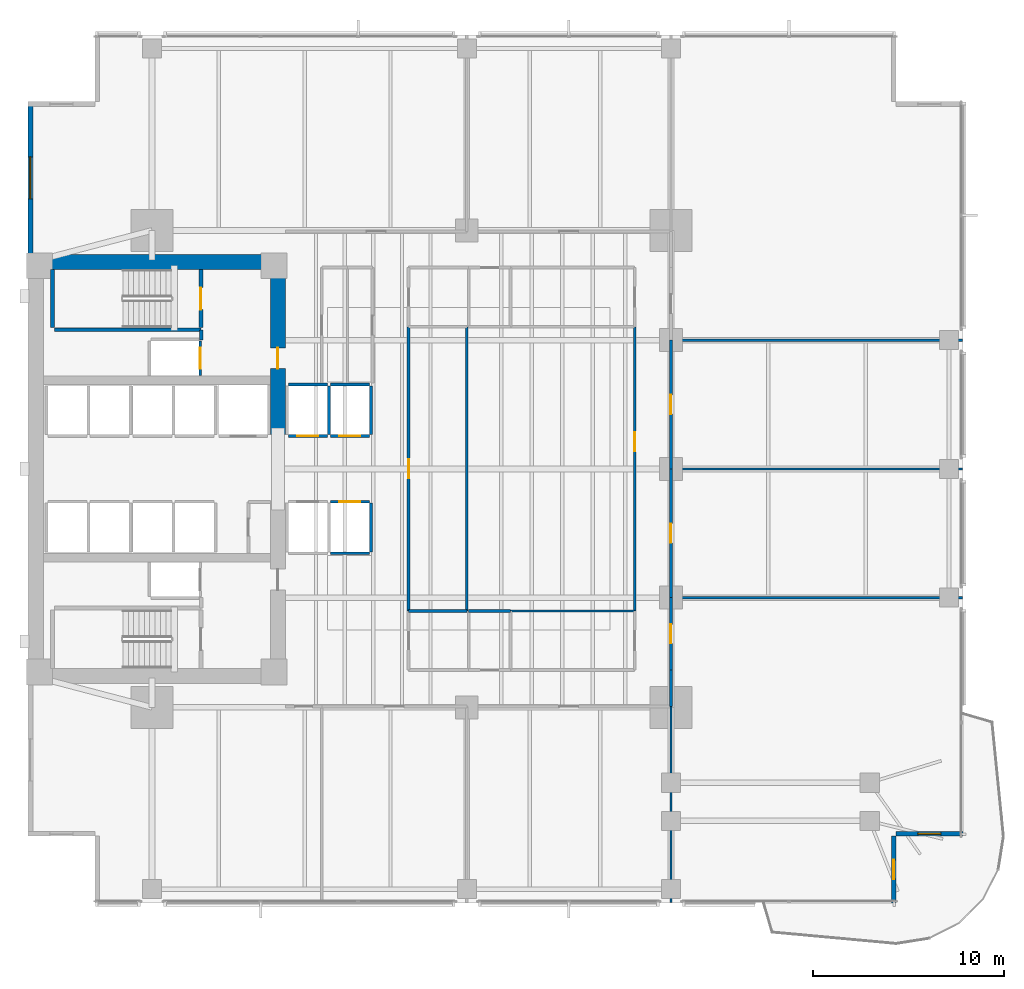
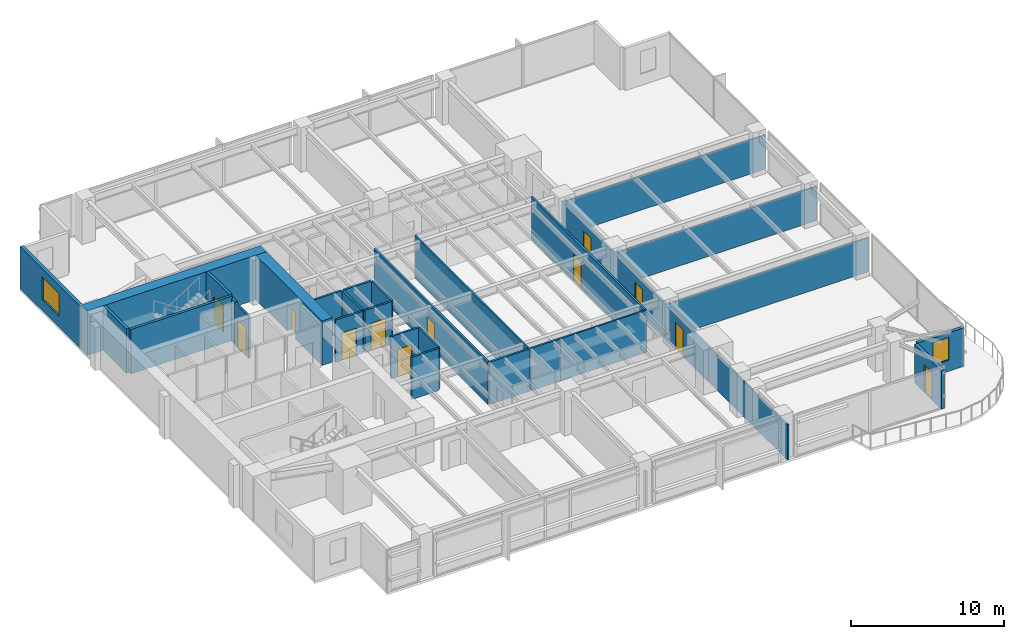
# One storey, part 9 of 15: 33 walls, 12 doors, 2 windows, 14 openings.
"""IFC4 building model written with IfcOpenShell, lengths in metres."""

from ifc_helpers import new_model, si_unit, direction, frame, frame_2d, origin, place, context, subcontext, project, spatial, rectangle, extrude, material, layer, layer_set, type_object, element, fill, save


model = new_model("IFC4")

# Units and contexts
model_context = context("Model", 3, precision=1e-05, world=origin(), true_north=direction((0.0, 1.0)))
body_context = subcontext(model_context, "Body", "Model", "MODEL_VIEW")
ifc_project = project(units=[si_unit("LENGTHUNIT", "METRE"), si_unit("AREAUNIT", "SQUARE_METRE"), si_unit("VOLUMEUNIT", "CUBIC_METRE"), si_unit("PLANEANGLEUNIT", "RADIAN"), si_unit("MASSUNIT", "GRAM", prefix="KILO")], contexts=[model_context])

# Site, building, storey
site_placement = place(None, origin())
site = spatial("IfcSite", under=ifc_project, at=site_placement, CompositionType="ELEMENT")
building_placement = place(site_placement, origin())
building = spatial("IfcBuilding", under=site, at=building_placement, Name="Kinhvarn Gate Tower", CompositionType="ELEMENT")
storey_placement = place(building_placement, frame((0.0, 0.0, 32.699951171875)))
storey = spatial("IfcBuildingStorey", under=building, at=storey_placement, Name="L07", CompositionType="ELEMENT", Elevation=32.699951171875)

# Wall
ifc_material_1 = material(Name="Concrete C70/85", Category="concrete")
ifc_layer_1 = layer(ifc_material_1, 0.800048828125)
ifc_layer_set_1 = layer_set([ifc_layer_1], Name="Concrete C70/85")
wall_type_1 = type_object("IfcWallType", Name="WL-CORE-800", PredefinedType="SHEAR", material=ifc_layer_set_1)
wall_1_placement = place(storey_placement, frame((4.5, 36.10009765625, 0.0), z_axis=(0.0, 0.0, 1.0), x_axis=(1.0, 0.0, 0.0)))
element("IfcWall", 1, at=wall_1_placement, inside=storey, type_object=wall_type_1, Name="Core North Shear Wall L07 800 mm", PredefinedType="SHEAR", context=body_context, shape_type="SweptSolid", body=[
    extrude(rectangle(XDim=13.5, YDim=0.800048828125, at=frame_2d((6.75, 0.0))), origin(), (0.0, 0.0, 1.0), 3.550048828125),
])

# Wall, opening, door
wall_2_placement = place(storey_placement, frame((17.60009765625, 27.050048828125, 0.0), z_axis=(0.0, 0.0, 1.0), x_axis=(0.0, 1.0, 0.0)))
wall_2 = element("IfcWall", 2, at=wall_2_placement, inside=storey, type_object=wall_type_1, Name="Core East-North Shear Pier L07 800 mm", PredefinedType="SHEAR", context=body_context, shape_type="SweptSolid", body=[
    extrude(rectangle(XDim=8.64990234375, YDim=0.800048828125, at=frame_2d((4.324951171875, 0.0))), origin(), (0.0, 0.0, 1.0), 3.550048828125),
])
opening_1_placement = place(wall_2_placement, frame((3.449951171875, 0.0, 0.0)))
opening_1 = element("IfcOpeningElement", 3, at=opening_1_placement, cuts=wall_2, Name="Opening FD-02", PredefinedType="OPENING", context=body_context, shape_type="SweptSolid", body=[
    extrude(rectangle(XDim=1.10009765625, YDim=2.14990234375, at=frame_2d((0.550048828125, 1.074951171875))), frame((0.0, 0.41015625, 0.0), z_axis=(0.0, -1.0, 0.0), x_axis=(1.0, 0.0, 0.0)), (0.0, 0.0, 1.0), 0.820068359375),
])
ifc_material_2 = material(Name="Anodised aluminium AW-6063", Category="aluminium")
door_type_1 = type_object("IfcDoorType", Name="DR-FD-1100", OperationType="NOTDEFINED", PredefinedType="DOOR", material=ifc_material_2)
door_1_placement = place(opening_1_placement, origin())
door_1 = element("IfcDoor", 4, at=door_1_placement, inside=storey, type_object=door_type_1, Name="Firefighting Lobby Core Door (L07)", OperationType="SINGLE_SWING_LEFT", OverallHeight=2.14990234375, OverallWidth=1.10009765625, PredefinedType="DOOR", context=body_context, shape_type="SweptSolid", body=[
    extrude(rectangle(XDim=1.10009765625, YDim=2.14990234375, at=frame_2d((0.550048828125, 1.074951171875))), frame((0.0, 0.02490234375, 0.0), z_axis=(0.0, -1.0, 0.0), x_axis=(1.0, 0.0, 0.0)), (0.0, 0.0, 1.0), 0.050048828125),
])
fill(opening_1, door_1)

# Wall, opening, window
ifc_material_3 = material(Name="Fired architectural terracotta", Category="masonry")
ifc_layer_2 = layer(ifc_material_3, 0.25)
ifc_layer_set_2 = layer_set([ifc_layer_2], Name="Fired architectural terracotta")
wall_type_2 = type_object("IfcWallType", Name="WL-EXT-250", PredefinedType="SOLIDWALL", material=ifc_layer_set_2)
wall_3_placement = place(storey_placement, frame((4.625, 44.5, 0.0), z_axis=(0.0, 0.0, 1.0), x_axis=(0.0, -1.0, 0.0)))
wall_3 = element("IfcWall", 5, at=wall_3_placement, inside=storey, type_object=wall_type_2, Name="Exterior Solidwall Wall EW-250 (L07 West-North)", PredefinedType="SOLIDWALL", context=body_context, shape_type="SweptSolid", body=[
    extrude(rectangle(XDim=8.0, YDim=0.25, at=frame_2d((4.0, 0.0))), origin(), (0.0, 0.0, 1.0), 3.3701171875),
])
opening_2_placement = place(wall_3_placement, frame((2.89990234375, 0.0, 0.89990234375)))
opening_2 = element("IfcOpeningElement", 6, at=opening_2_placement, cuts=wall_3, Name="Opening WN-01", PredefinedType="OPENING", context=body_context, shape_type="SweptSolid", body=[
    extrude(rectangle(XDim=2.199951171875, YDim=1.800048828125, at=frame_2d((1.10009765625, 0.89990234375))), frame((0.0, 0.135009765625, 0.0), z_axis=(0.0, -1.0, 0.0), x_axis=(1.0, 0.0, 0.0)), (0.0, 0.0, 1.0), 0.27001953125),
])
ifc_material_4 = material(Name="Clear low-e double glazing", Category="glass")
window_type_1 = type_object("IfcWindowType", Name="WIN-RIB-2200", PartitioningType="SINGLE_PANEL", PredefinedType="WINDOW", material=ifc_material_4)
window_1_placement = place(opening_2_placement, origin())
window_1 = element("IfcWindow", 7, at=window_1_placement, inside=storey, type_object=window_type_1, Name="West Flank Double-Glazed Ribbon Window 2200x1800 mm (L07)", OverallHeight=1.800048828125, OverallWidth=2.199951171875, PartitioningType="SINGLE_PANEL", PredefinedType="WINDOW", context=body_context, shape_type="SweptSolid", body=[
    extrude(rectangle(XDim=2.199951171875, YDim=1.800048828125, at=frame_2d((1.10009765625, 0.89990234375))), frame((0.0, 0.030029296875, 0.0), z_axis=(0.0, -1.0, 0.0), x_axis=(1.0, 0.0, 0.0)), (0.0, 0.0, 1.0), 0.06005859375),
])
fill(opening_2, window_1)

# Wall, opening, door
wall_4_placement = place(storey_placement, frame((49.875, 2.5, 0.0), z_axis=(0.0, 0.0, 1.0), x_axis=(0.0, 1.0, 0.0)))
wall_4 = element("IfcWall", 8, at=wall_4_placement, inside=storey, type_object=wall_type_2, Name="Exterior Solidwall Wall EW-250 (L07 SE-Notch-Door)", PredefinedType="SOLIDWALL", context=body_context, shape_type="SweptSolid", body=[
    extrude(rectangle(XDim=3.5, YDim=0.25, at=frame_2d((1.75, 0.0))), origin(), (0.0, 0.0, 1.0), 3.070068359375),
])
opening_3_placement = place(wall_4_placement, frame((1.25, 0.0, 0.0)))
opening_3 = element("IfcOpeningElement", 9, at=opening_3_placement, cuts=wall_4, Name="Opening BD-01", PredefinedType="OPENING", context=body_context, shape_type="SweptSolid", body=[
    extrude(rectangle(XDim=1.0, YDim=2.199951171875, at=frame_2d((0.5, 1.10009765625))), frame((0.0, 0.135009765625, 0.0), z_axis=(0.0, -1.0, 0.0), x_axis=(1.0, 0.0, 0.0)), (0.0, 0.0, 1.0), 0.27001953125),
])
door_type_2 = type_object("IfcDoorType", Name="DR-BAL-1000", OperationType="NOTDEFINED", PredefinedType="DOOR", material=ifc_material_4)
door_2_placement = place(opening_3_placement, frame((1.0, 0.0, 0.0), z_axis=(0.0, 0.0, 1.0), x_axis=(-1.0, 0.0, 0.0)))
door_2 = element("IfcDoor", 10, at=door_2_placement, inside=storey, type_object=door_type_2, Name="S-Carve Balcony Door BD-01 (L07)", OperationType="SINGLE_SWING_LEFT", OverallHeight=2.199951171875, OverallWidth=1.0, PredefinedType="DOOR", context=body_context, shape_type="SweptSolid", body=[
    extrude(rectangle(XDim=1.0, YDim=2.199951171875, at=frame_2d((0.5, 1.10009765625))), frame((0.0, 0.02490234375, 0.0), z_axis=(0.0, -1.0, 0.0), x_axis=(1.0, 0.0, 0.0)), (0.0, 0.0, 1.0), 0.050048828125),
])
fill(opening_3, door_2)

# Wall, opening, window
wall_5_placement = place(storey_placement, frame((50.0, 6.125, 0.0), z_axis=(0.0, 0.0, 1.0), x_axis=(1.0, 0.0, 0.0)))
wall_5 = element("IfcWall", 11, at=wall_5_placement, inside=storey, type_object=wall_type_2, Name="Exterior Solidwall Wall EW-250 (L07 SE-Notch-Win)", PredefinedType="SOLIDWALL", context=body_context, shape_type="SweptSolid", body=[
    extrude(rectangle(XDim=3.5, YDim=0.25, at=frame_2d((1.75, 0.0))), origin(), (0.0, 0.0, 1.0), 3.070068359375),
])
opening_4_placement = place(wall_5_placement, frame((1.14990234375, 0.0, 0.89990234375)))
opening_4 = element("IfcOpeningElement", 12, at=opening_4_placement, cuts=wall_5, Name="Opening WN-02", PredefinedType="OPENING", context=body_context, shape_type="SweptSolid", body=[
    extrude(rectangle(XDim=1.199951171875, YDim=1.800048828125, at=frame_2d((0.60009765625, 0.89990234375))), frame((0.0, 0.135009765625, 0.0), z_axis=(0.0, -1.0, 0.0), x_axis=(1.0, 0.0, 0.0)), (0.0, 0.0, 1.0), 0.27001953125),
])
window_type_2 = type_object("IfcWindowType", Name="WIN-NTC-1200", PartitioningType="SINGLE_PANEL", PredefinedType="WINDOW", material=ifc_material_4)
window_2_placement = place(opening_4_placement, origin())
window_2 = element("IfcWindow", 13, at=window_2_placement, inside=storey, type_object=window_type_2, Name="Recessed Corner Notch Punched Window 1200x1800 mm (L07)", OverallHeight=1.800048828125, OverallWidth=1.199951171875, PartitioningType="SINGLE_PANEL", PredefinedType="WINDOW", context=body_context, shape_type="SweptSolid", body=[
    extrude(rectangle(XDim=1.199951171875, YDim=1.800048828125, at=frame_2d((0.60009765625, 0.89990234375))), frame((0.0, 0.030029296875, 0.0), z_axis=(0.0, -1.0, 0.0), x_axis=(1.0, 0.0, 0.0)), (0.0, 0.0, 1.0), 0.06005859375),
])
fill(opening_4, window_2)

# Walls
ifc_material_5 = material(Name="Gypsum acoustic partition board")
ifc_layer_3 = layer(ifc_material_5, 0.14990234375)
ifc_layer_set_3 = layer_set([ifc_layer_3], Name="Gypsum acoustic partition board")
wall_type_3 = type_object("IfcWallType", Name="WL-PLM-150", PredefinedType="PLUMBINGWALL", material=ifc_layer_set_3)
wall_6_placement = place(storey_placement, frame((24.449951171875, 17.800048828125, 0.0), z_axis=(0.0, 0.0, 1.0), x_axis=(1.0, 0.0, 0.0)))
element("IfcWall", 14, at=wall_6_placement, inside=storey, type_object=wall_type_3, Name="Interior Partition PLW-150 (L07)", PredefinedType="PLUMBINGWALL", context=body_context, shape_type="SweptSolid", body=[
    extrude(rectangle(XDim=3.050048828125, YDim=0.14990234375, at=frame_2d((1.52490234375, 0.0))), origin(), (0.0, 0.0, 1.0), 3.3701171875),
])
wall_7_placement = place(storey_placement, frame((27.60009765625, 17.800048828125, 0.0), z_axis=(0.0, 0.0, 1.0), x_axis=(1.0, 0.0, 0.0)))
element("IfcWall", 15, at=wall_7_placement, inside=storey, type_object=wall_type_3, Name="Interior Partition PLW-150 (L07)", PredefinedType="PLUMBINGWALL", context=body_context, shape_type="SweptSolid", body=[
    extrude(rectangle(XDim=2.199951171875, YDim=0.14990234375, at=frame_2d((1.10009765625, 0.0))), origin(), (0.0, 0.0, 1.0), 3.3701171875),
])
ifc_layer_4 = layer(ifc_material_5, 0.1201171875)
ifc_layer_set_4 = layer_set([ifc_layer_4], Name="Gypsum acoustic partition board")
wall_type_4 = type_object("IfcWallType", Name="WL-PRT-120", PredefinedType="PARTITIONING", material=ifc_layer_set_4)
wall_8_placement = place(storey_placement, frame((29.800048828125, 17.800048828125, 0.0), z_axis=(0.0, 0.0, 1.0), x_axis=(1.0, 0.0, 0.0)))
element("IfcWall", 16, at=wall_8_placement, inside=storey, type_object=wall_type_4, Name="Interior Partition PW-120 (L07)", PredefinedType="PARTITIONING", context=body_context, shape_type="SweptSolid", body=[
    extrude(rectangle(XDim=6.5, YDim=0.1201171875, at=frame_2d((3.25, 0.0))), origin(), (0.0, 0.0, 1.0), 3.3701171875),
])
wall_9_placement = place(storey_placement, frame((27.5, 17.800048828125, 0.0), z_axis=(0.0, 0.0, 1.0), x_axis=(0.0, 1.0, 0.0)))
element("IfcWall", 17, at=wall_9_placement, inside=storey, type_object=wall_type_4, Name="Interior Partition PW-120 (L07)", PredefinedType="PARTITIONING", context=body_context, shape_type="SweptSolid", body=[
    extrude(rectangle(XDim=14.89990234375, YDim=0.1201171875, at=frame_2d((7.449951171875, 0.0))), origin(), (0.0, 0.0, 1.0), 3.3701171875),
])
wall_10_placement = place(storey_placement, frame((38.199951171875, 2.510009765625, 0.0), z_axis=(0.0, 0.0, 1.0), x_axis=(0.0, 1.0, 0.0)))
element("IfcWall", 18, at=wall_10_placement, inside=storey, type_object=wall_type_4, Name="Interior Partition PW-120 (L07)", PredefinedType="PARTITIONING", context=body_context, shape_type="SweptSolid", body=[
    extrude(rectangle(XDim=10.2900390625, YDim=0.1201171875, at=frame_2d((5.14501953125, 0.0))), origin(), (0.0, 0.0, 1.0), 2.820068359375),
])
for number, where, z_axis, x_axis, name in (
    (19, (38.199951171875, 18.5, 0.0), (0.0, 0.0, 1.0), (1.0, 0.0, 0.0), "Interior Partition PW-120 (L07)"),
    (20, (38.199951171875, 25.25, 0.0), (0.0, 0.0, 1.0), (1.0, 0.0, 0.0), "Interior Partition PW-120 (L07)"),
    (21, (38.199951171875, 32.0, 0.0), (0.0, 0.0, 1.0), (1.0, 0.0, 0.0), "Interior Partition PW-120 (L07)"),
):
    element("IfcWall", number, at=place(storey_placement, frame(where, z_axis=z_axis, x_axis=x_axis)), inside=storey, type_object=wall_type_4, Name=name, PredefinedType="PARTITIONING", context=body_context, shape_type="SweptSolid", body=[
        extrude(rectangle(XDim=15.2900390625, YDim=0.1201171875, at=frame_2d((7.64501953125, 0.0))), origin(), (0.0, 0.0, 1.0), 2.719970703125),
    ])

# Wall, opening, door
ifc_layer_5 = layer(ifc_material_5, 0.14990234375)
ifc_layer_set_5 = layer_set([ifc_layer_5], Name="Gypsum acoustic partition board")
wall_type_5 = type_object("IfcWallType", Name="WL-PRT-150F", PredefinedType="PARTITIONING", material=ifc_layer_set_5)
wall_11_placement = place(storey_placement, frame((24.449951171875, 17.800048828125, 0.0), z_axis=(0.0, 0.0, 1.0), x_axis=(0.0, 1.0, 0.0)))
wall_11 = element("IfcWall", 22, at=wall_11_placement, inside=storey, type_object=wall_type_5, Name="Interior Partition PW-150F (L07)", PredefinedType="PARTITIONING", context=body_context, shape_type="SweptSolid", body=[
    extrude(rectangle(XDim=14.89990234375, YDim=0.14990234375, at=frame_2d((7.449951171875, 0.0))), origin(), (0.0, 0.0, 1.0), 3.3701171875),
])
opening_5_placement = place(wall_11_placement, frame((6.949951171875, 0.0, 0.0)))
opening_5 = element("IfcOpeningElement", 23, at=opening_5_placement, cuts=wall_11, Name="Opening ID-02", PredefinedType="OPENING", context=body_context, shape_type="SweptSolid", body=[
    extrude(rectangle(XDim=1.0, YDim=2.14990234375, at=frame_2d((0.5, 1.074951171875))), frame((0.0, 0.0849609375, 0.0), z_axis=(0.0, -1.0, 0.0), x_axis=(1.0, 0.0, 0.0)), (0.0, 0.0, 1.0), 0.169921875),
])
door_type_3 = type_object("IfcDoorType", Name="DR-INT-1000", OperationType="NOTDEFINED", PredefinedType="DOOR", material=ifc_material_2)
door_3_placement = place(opening_5_placement, origin())
door_3 = element("IfcDoor", 24, at=door_3_placement, inside=storey, type_object=door_type_3, Name="Standard Office & Meeting Room Door 1000x2150 mm (L07)", OperationType="SINGLE_SWING_LEFT", OverallHeight=2.14990234375, OverallWidth=1.0, PredefinedType="DOOR", context=body_context, shape_type="SweptSolid", body=[
    extrude(rectangle(XDim=1.0, YDim=2.14990234375, at=frame_2d((0.5, 1.074951171875))), frame((0.0, 0.02490234375, 0.0), z_axis=(0.0, -1.0, 0.0), x_axis=(1.0, 0.0, 0.0)), (0.0, 0.0, 1.0), 0.050048828125),
])
fill(opening_5, door_3)

# Wall
wall_12_placement = place(storey_placement, frame((38.199951171875, 12.800048828125, 0.0), z_axis=(0.0, 0.0, 1.0), x_axis=(0.0, 1.0, 0.0)))
element("IfcWall", 25, at=wall_12_placement, inside=storey, type_object=wall_type_5, Name="Interior Partition PW-150F (L07)", PredefinedType="PARTITIONING", context=body_context, shape_type="SweptSolid", body=[
    extrude(rectangle(XDim=1.89990234375, YDim=0.14990234375, at=frame_2d((0.949951171875, 0.0))), origin(), (0.0, 0.0, 1.0), 2.820068359375),
])

# Wall, opening, door
wall_13_placement = place(storey_placement, frame((36.300048828125, 17.800048828125, 0.0), z_axis=(0.0, 0.0, 1.0), x_axis=(0.0, 1.0, 0.0)))
wall_13 = element("IfcWall", 26, at=wall_13_placement, inside=storey, type_object=wall_type_5, Name="Interior Partition PW-150F (L07)", PredefinedType="PARTITIONING", context=body_context, shape_type="SweptSolid", body=[
    extrude(rectangle(XDim=14.89990234375, YDim=0.14990234375, at=frame_2d((7.449951171875, 0.0))), origin(), (0.0, 0.0, 1.0), 3.3701171875),
])
opening_6_placement = place(wall_13_placement, frame((8.364013671875, 0.0, 0.0)))
opening_6 = element("IfcOpeningElement", 27, at=opening_6_placement, cuts=wall_13, Name="Opening ID-02", PredefinedType="OPENING", context=body_context, shape_type="SweptSolid", body=[
    extrude(rectangle(XDim=1.0, YDim=2.14990234375, at=frame_2d((0.5, 1.074951171875))), frame((0.0, 0.0849609375, 0.0), z_axis=(0.0, -1.0, 0.0), x_axis=(1.0, 0.0, 0.0)), (0.0, 0.0, 1.0), 0.169921875),
])
door_4_placement = place(opening_6_placement, origin())
door_4 = element("IfcDoor", 28, at=door_4_placement, inside=storey, type_object=door_type_3, Name="Standard Office & Meeting Room Door 1000x2150 mm (L07)", OperationType="SINGLE_SWING_RIGHT", OverallHeight=2.14990234375, OverallWidth=1.0, PredefinedType="DOOR", context=body_context, shape_type="SweptSolid", body=[
    extrude(rectangle(XDim=1.0, YDim=2.14990234375, at=frame_2d((0.5, 1.074951171875))), frame((0.0, 0.02490234375, 0.0), z_axis=(0.0, -1.0, 0.0), x_axis=(1.0, 0.0, 0.0)), (0.0, 0.0, 1.0), 0.050048828125),
])
fill(opening_6, door_4)

wall_14_placement = place(storey_placement, frame((38.199951171875, 14.699951171875, 0.0), z_axis=(0.0, 0.0, 1.0), x_axis=(0.0, 1.0, 0.0)))
wall_14 = element("IfcWall", 29, at=wall_14_placement, inside=storey, type_object=wall_type_5, Name="Interior Partition PW-150F (L07)", PredefinedType="PARTITIONING", context=body_context, shape_type="SweptSolid", body=[
    extrude(rectangle(XDim=3.800048828125, YDim=0.14990234375, at=frame_2d((1.89990234375, 0.0))), origin(), (0.0, 0.0, 1.0), 2.820068359375),
])
opening_7_placement = place(wall_14_placement, frame((1.39990234375, 0.0, 0.0)))
opening_7 = element("IfcOpeningElement", 30, at=opening_7_placement, cuts=wall_14, Name="Opening ID-02", PredefinedType="OPENING", context=body_context, shape_type="SweptSolid", body=[
    extrude(rectangle(XDim=1.0, YDim=2.14990234375, at=frame_2d((0.5, 1.074951171875))), frame((0.0, 0.0849609375, 0.0), z_axis=(0.0, -1.0, 0.0), x_axis=(1.0, 0.0, 0.0)), (0.0, 0.0, 1.0), 0.169921875),
])
door_5_placement = place(opening_7_placement, origin())
door_5 = element("IfcDoor", 31, at=door_5_placement, inside=storey, type_object=door_type_3, Name="Standard Office & Meeting Room Door 1000x2150 mm (L07)", OperationType="SINGLE_SWING_LEFT", OverallHeight=2.14990234375, OverallWidth=1.0, PredefinedType="DOOR", context=body_context, shape_type="SweptSolid", body=[
    extrude(rectangle(XDim=1.0, YDim=2.14990234375, at=frame_2d((0.5, 1.074951171875))), frame((0.0, 0.02490234375, 0.0), z_axis=(0.0, -1.0, 0.0), x_axis=(1.0, 0.0, 0.0)), (0.0, 0.0, 1.0), 0.050048828125),
])
fill(opening_7, door_5)

wall_15_placement = place(storey_placement, frame((38.199951171875, 18.5, 0.0), z_axis=(0.0, 0.0, 1.0), x_axis=(0.0, 1.0, 0.0)))
wall_15 = element("IfcWall", 32, at=wall_15_placement, inside=storey, type_object=wall_type_5, Name="Interior Partition PW-150F (L07)", PredefinedType="PARTITIONING", context=body_context, shape_type="SweptSolid", body=[
    extrude(rectangle(XDim=6.75, YDim=0.14990234375, at=frame_2d((3.375, 0.0))), origin(), (0.0, 0.0, 1.0), 2.820068359375),
])
opening_8_placement = place(wall_15_placement, frame((2.875, 0.0, 0.0)))
opening_8 = element("IfcOpeningElement", 33, at=opening_8_placement, cuts=wall_15, Name="Opening ID-02", PredefinedType="OPENING", context=body_context, shape_type="SweptSolid", body=[
    extrude(rectangle(XDim=1.0, YDim=2.14990234375, at=frame_2d((0.5, 1.074951171875))), frame((0.0, 0.0849609375, 0.0), z_axis=(0.0, -1.0, 0.0), x_axis=(1.0, 0.0, 0.0)), (0.0, 0.0, 1.0), 0.169921875),
])
door_6_placement = place(opening_8_placement, origin())
door_6 = element("IfcDoor", 34, at=door_6_placement, inside=storey, type_object=door_type_3, Name="Standard Office & Meeting Room Door 1000x2150 mm (L07)", OperationType="SINGLE_SWING_RIGHT", OverallHeight=2.14990234375, OverallWidth=1.0, PredefinedType="DOOR", context=body_context, shape_type="SweptSolid", body=[
    extrude(rectangle(XDim=1.0, YDim=2.14990234375, at=frame_2d((0.5, 1.074951171875))), frame((0.0, 0.02490234375, 0.0), z_axis=(0.0, -1.0, 0.0), x_axis=(1.0, 0.0, 0.0)), (0.0, 0.0, 1.0), 0.050048828125),
])
fill(opening_8, door_6)

wall_16_placement = place(storey_placement, frame((38.199951171875, 25.25, 0.0), z_axis=(0.0, 0.0, 1.0), x_axis=(0.0, 1.0, 0.0)))
wall_16 = element("IfcWall", 35, at=wall_16_placement, inside=storey, type_object=wall_type_5, Name="Interior Partition PW-150F (L07)", PredefinedType="PARTITIONING", context=body_context, shape_type="SweptSolid", body=[
    extrude(rectangle(XDim=6.75, YDim=0.14990234375, at=frame_2d((3.375, 0.0))), origin(), (0.0, 0.0, 1.0), 2.820068359375),
])
opening_9_placement = place(wall_16_placement, frame((2.875, 0.0, 0.0)))
opening_9 = element("IfcOpeningElement", 36, at=opening_9_placement, cuts=wall_16, Name="Opening ID-02", PredefinedType="OPENING", context=body_context, shape_type="SweptSolid", body=[
    extrude(rectangle(XDim=1.0, YDim=2.14990234375, at=frame_2d((0.5, 1.074951171875))), frame((0.0, 0.0849609375, 0.0), z_axis=(0.0, -1.0, 0.0), x_axis=(1.0, 0.0, 0.0)), (0.0, 0.0, 1.0), 0.169921875),
])
door_7_placement = place(opening_9_placement, origin())
door_7 = element("IfcDoor", 37, at=door_7_placement, inside=storey, type_object=door_type_3, Name="Standard Office & Meeting Room Door 1000x2150 mm (L07)", OperationType="SINGLE_SWING_LEFT", OverallHeight=2.14990234375, OverallWidth=1.0, PredefinedType="DOOR", context=body_context, shape_type="SweptSolid", body=[
    extrude(rectangle(XDim=1.0, YDim=2.14990234375, at=frame_2d((0.5, 1.074951171875))), frame((0.0, 0.02490234375, 0.0), z_axis=(0.0, -1.0, 0.0), x_axis=(1.0, 0.0, 0.0)), (0.0, 0.0, 1.0), 0.050048828125),
])
fill(opening_9, door_7)

# Walls
ifc_layer_6 = layer(ifc_material_5, 0.199951171875)
ifc_layer_set_6 = layer_set([ifc_layer_6], Name="Gypsum acoustic partition board")
wall_type_6 = type_object("IfcWallType", Name="WL-PRT-200", PredefinedType="PARTITIONING", material=ifc_layer_set_6)
wall_17_placement = place(storey_placement, frame((13.580078125, 32.0, 0.0), z_axis=(0.0, 0.0, 1.0), x_axis=(0.0, 1.0, 0.0)))
element("IfcWall", 38, at=wall_17_placement, inside=storey, type_object=wall_type_6, Name="Interior Partition PW-200 (L07)", PredefinedType="PARTITIONING", context=body_context, shape_type="SweptSolid", body=[
    extrude(rectangle(XDim=0.5400390625, YDim=0.199951171875, at=frame_2d((0.27001953125, 0.0))), origin(), (0.0, 0.0, 1.0), 3.3701171875),
])
ifc_layer_7 = layer(ifc_material_5, 0.14990234375)
ifc_layer_set_7 = layer_set([ifc_layer_7], Name="Gypsum acoustic partition board")
wall_type_7 = type_object("IfcWallType", Name="WL-SHF-150", PredefinedType="PARTITIONING", material=ifc_layer_set_7)
wall_18_placement = place(storey_placement, frame((20.35009765625, 20.824951171875, 0.0), z_axis=(0.0, 0.0, 1.0), x_axis=(1.0, 0.0, 0.0)))
element("IfcWall", 39, at=wall_18_placement, inside=storey, type_object=wall_type_7, Name="Elevator PL-02 Hoistway Wall S (L07)", PredefinedType="PARTITIONING", context=body_context, shape_type="SweptSolid", body=[
    extrude(rectangle(XDim=2.0498046875, YDim=0.14990234375, at=frame_2d((1.02490234375, 0.0))), origin(), (0.0, 0.0, 1.0), 3.3701171875),
])

# Wall, opening, door
wall_19_placement = place(storey_placement, frame((20.35009765625, 23.52490234375, 0.0), z_axis=(0.0, 0.0, 1.0), x_axis=(1.0, 0.0, 0.0)))
wall_19 = element("IfcWall", 40, at=wall_19_placement, inside=storey, type_object=wall_type_7, Name="Elevator PL-02 Landing Wall (L07)", PredefinedType="PARTITIONING", context=body_context, shape_type="SweptSolid", body=[
    extrude(rectangle(XDim=2.0498046875, YDim=0.14990234375, at=frame_2d((1.02490234375, 0.0))), origin(), (0.0, 0.0, 1.0), 3.3701171875),
])
opening_10_placement = place(wall_19_placement, frame((0.47509765625, 0.0, 0.0)))
opening_10 = element("IfcOpeningElement", 41, at=opening_10_placement, cuts=wall_19, Name="Opening LD-01", PredefinedType="OPENING", context=body_context, shape_type="SweptSolid", body=[
    extrude(rectangle(XDim=1.10009765625, YDim=2.199951171875, at=frame_2d((0.550048828125, 1.10009765625))), frame((0.0, 0.0849609375, 0.0), z_axis=(0.0, -1.0, 0.0), x_axis=(1.0, 0.0, 0.0)), (0.0, 0.0, 1.0), 0.169921875),
])
door_type_4 = type_object("IfcDoorType", Name="DR-LND-PAS", OperationType="NOTDEFINED", PredefinedType="DOOR", material=ifc_material_2)
door_8_placement = place(opening_10_placement, origin())
door_8 = element("IfcDoor", 42, at=door_8_placement, inside=storey, type_object=door_type_4, Name="Elevator PL-02 Sliding Landing Door (L07)", OperationType="DOUBLE_DOOR_SLIDING", OverallHeight=2.199951171875, OverallWidth=1.10009765625, PredefinedType="DOOR", context=body_context, shape_type="SweptSolid", body=[
    extrude(rectangle(XDim=1.10009765625, YDim=2.199951171875, at=frame_2d((0.550048828125, 1.10009765625))), frame((0.0, 0.02490234375, 0.0), z_axis=(0.0, -1.0, 0.0), x_axis=(1.0, 0.0, 0.0)), (0.0, 0.0, 1.0), 0.050048828125),
])
fill(opening_10, door_8)

# Wall
wall_20_placement = place(storey_placement, frame((22.47509765625, 20.89990234375, 0.0), z_axis=(0.0, 0.0, 1.0), x_axis=(0.0, 1.0, 0.0)))
element("IfcWall", 43, at=wall_20_placement, inside=storey, type_object=wall_type_7, Name="Elevator PL-02 Hoistway Wall E (L07)", PredefinedType="PARTITIONING", context=body_context, shape_type="SweptSolid", body=[
    extrude(rectangle(XDim=2.550048828125, YDim=0.14990234375, at=frame_2d((1.27490234375, 0.0))), origin(), (0.0, 0.0, 1.0), 3.3701171875),
])

# Wall, opening, door
wall_21_placement = place(storey_placement, frame((18.14990234375, 26.97509765625, 0.0), z_axis=(0.0, 0.0, 1.0), x_axis=(1.0, 0.0, 0.0)))
wall_21 = element("IfcWall", 44, at=wall_21_placement, inside=storey, type_object=wall_type_7, Name="Elevator PL-03 Landing Wall (L07)", PredefinedType="PARTITIONING", context=body_context, shape_type="SweptSolid", body=[
    extrude(rectangle(XDim=2.050048828125, YDim=0.14990234375, at=frame_2d((1.02490234375, 0.0))), origin(), (0.0, 0.0, 1.0), 3.3701171875),
])
opening_11_placement = place(wall_21_placement, frame((0.47509765625, 0.0, 0.0)))
opening_11 = element("IfcOpeningElement", 45, at=opening_11_placement, cuts=wall_21, Name="Opening LD-01", PredefinedType="OPENING", context=body_context, shape_type="SweptSolid", body=[
    extrude(rectangle(XDim=1.10009765625, YDim=2.199951171875, at=frame_2d((0.550048828125, 1.10009765625))), frame((0.0, 0.0849609375, 0.0), z_axis=(0.0, -1.0, 0.0), x_axis=(1.0, 0.0, 0.0)), (0.0, 0.0, 1.0), 0.169921875),
])
door_9_placement = place(opening_11_placement, origin())
door_9 = element("IfcDoor", 46, at=door_9_placement, inside=storey, type_object=door_type_4, Name="Elevator PL-03 Sliding Landing Door (L07)", OperationType="DOUBLE_DOOR_SLIDING", OverallHeight=2.199951171875, OverallWidth=1.10009765625, PredefinedType="DOOR", context=body_context, shape_type="SweptSolid", body=[
    extrude(rectangle(XDim=1.10009765625, YDim=2.199951171875, at=frame_2d((0.550048828125, 1.10009765625))), frame((0.0, 0.02490234375, 0.0), z_axis=(0.0, -1.0, 0.0), x_axis=(1.0, 0.0, 0.0)), (0.0, 0.0, 1.0), 0.050048828125),
])
fill(opening_11, door_9)

# Walls
wall_22_placement = place(storey_placement, frame((18.14990234375, 29.675048828125, 0.0), z_axis=(0.0, 0.0, 1.0), x_axis=(1.0, 0.0, 0.0)))
element("IfcWall", 47, at=wall_22_placement, inside=storey, type_object=wall_type_7, Name="Elevator PL-03 Hoistway Wall N (L07)", PredefinedType="PARTITIONING", context=body_context, shape_type="SweptSolid", body=[
    extrude(rectangle(XDim=2.050048828125, YDim=0.14990234375, at=frame_2d((1.02490234375, 0.0))), origin(), (0.0, 0.0, 1.0), 3.3701171875),
])
wall_23_placement = place(storey_placement, frame((20.27490234375, 27.050048828125, 0.0), z_axis=(0.0, 0.0, 1.0), x_axis=(0.0, 1.0, 0.0)))
element("IfcWall", 48, at=wall_23_placement, inside=storey, type_object=wall_type_7, Name="Elevator PL-03 Hoistway Wall E (L07)", PredefinedType="PARTITIONING", context=body_context, shape_type="SweptSolid", body=[
    extrude(rectangle(XDim=2.550048828125, YDim=0.14990234375, at=frame_2d((1.27490234375, 0.0))), origin(), (0.0, 0.0, 1.0), 3.3701171875),
])

# Wall, opening, door
wall_24_placement = place(storey_placement, frame((20.35009765625, 26.97509765625, 0.0), z_axis=(0.0, 0.0, 1.0), x_axis=(1.0, 0.0, 0.0)))
wall_24 = element("IfcWall", 49, at=wall_24_placement, inside=storey, type_object=wall_type_7, Name="Elevator PL-04 Landing Wall (L07)", PredefinedType="PARTITIONING", context=body_context, shape_type="SweptSolid", body=[
    extrude(rectangle(XDim=2.0498046875, YDim=0.14990234375, at=frame_2d((1.02490234375, 0.0))), origin(), (0.0, 0.0, 1.0), 3.3701171875),
])
opening_12_placement = place(wall_24_placement, frame((0.47509765625, 0.0, 0.0)))
opening_12 = element("IfcOpeningElement", 50, at=opening_12_placement, cuts=wall_24, Name="Opening LD-01", PredefinedType="OPENING", context=body_context, shape_type="SweptSolid", body=[
    extrude(rectangle(XDim=1.10009765625, YDim=2.199951171875, at=frame_2d((0.550048828125, 1.10009765625))), frame((0.0, 0.0849609375, 0.0), z_axis=(0.0, -1.0, 0.0), x_axis=(1.0, 0.0, 0.0)), (0.0, 0.0, 1.0), 0.169921875),
])
door_10_placement = place(opening_12_placement, origin())
door_10 = element("IfcDoor", 51, at=door_10_placement, inside=storey, type_object=door_type_4, Name="Elevator PL-04 Sliding Landing Door (L07)", OperationType="DOUBLE_DOOR_SLIDING", OverallHeight=2.199951171875, OverallWidth=1.10009765625, PredefinedType="DOOR", context=body_context, shape_type="SweptSolid", body=[
    extrude(rectangle(XDim=1.10009765625, YDim=2.199951171875, at=frame_2d((0.550048828125, 1.10009765625))), frame((0.0, 0.02490234375, 0.0), z_axis=(0.0, -1.0, 0.0), x_axis=(1.0, 0.0, 0.0)), (0.0, 0.0, 1.0), 0.050048828125),
])
fill(opening_12, door_10)

# Walls
wall_25_placement = place(storey_placement, frame((20.35009765625, 29.675048828125, 0.0), z_axis=(0.0, 0.0, 1.0), x_axis=(1.0, 0.0, 0.0)))
element("IfcWall", 52, at=wall_25_placement, inside=storey, type_object=wall_type_7, Name="Elevator PL-04 Hoistway Wall N (L07)", PredefinedType="PARTITIONING", context=body_context, shape_type="SweptSolid", body=[
    extrude(rectangle(XDim=2.0498046875, YDim=0.14990234375, at=frame_2d((1.02490234375, 0.0))), origin(), (0.0, 0.0, 1.0), 3.3701171875),
])
wall_26_placement = place(storey_placement, frame((22.47509765625, 27.050048828125, 0.0), z_axis=(0.0, 0.0, 1.0), x_axis=(0.0, 1.0, 0.0)))
element("IfcWall", 53, at=wall_26_placement, inside=storey, type_object=wall_type_7, Name="Elevator PL-04 Hoistway Wall E (L07)", PredefinedType="PARTITIONING", context=body_context, shape_type="SweptSolid", body=[
    extrude(rectangle(XDim=2.550048828125, YDim=0.14990234375, at=frame_2d((1.27490234375, 0.0))), origin(), (0.0, 0.0, 1.0), 3.3701171875),
])

# Wall, opening, door
wall_27_placement = place(storey_placement, frame((13.52490234375, 30.14990234375, 0.0), z_axis=(0.0, 0.0, 1.0), x_axis=(0.0, 1.0, 0.0)))
wall_27 = element("IfcWall", 54, at=wall_27_placement, inside=storey, type_object=wall_type_7, Name="Elevator FF2 Landing Wall (L07)", PredefinedType="PARTITIONING", context=body_context, shape_type="SweptSolid", body=[
    extrude(rectangle(XDim=1.800048828125, YDim=0.14990234375, at=frame_2d((0.89990234375, 0.0))), origin(), (0.0, 0.0, 1.0), 3.3701171875),
])
opening_13_placement = place(wall_27_placement, frame((0.35009765625, 0.0, 0.0)))
opening_13 = element("IfcOpeningElement", 55, at=opening_13_placement, cuts=wall_27, Name="Opening LD-03", PredefinedType="OPENING", context=body_context, shape_type="SweptSolid", body=[
    extrude(rectangle(XDim=1.10009765625, YDim=2.199951171875, at=frame_2d((0.550048828125, 1.10009765625))), frame((0.0, 0.0849609375, 0.0), z_axis=(0.0, -1.0, 0.0), x_axis=(1.0, 0.0, 0.0)), (0.0, 0.0, 1.0), 0.169921875),
])
door_type_5 = type_object("IfcDoorType", Name="DR-LND-FF", OperationType="NOTDEFINED", PredefinedType="DOOR", material=ifc_material_2)
door_11_placement = place(opening_13_placement, origin())
door_11 = element("IfcDoor", 56, at=door_11_placement, inside=storey, type_object=door_type_5, Name="Elevator FF2 Sliding Landing Door (L07)", OperationType="DOUBLE_DOOR_SLIDING", OverallHeight=2.199951171875, OverallWidth=1.10009765625, PredefinedType="DOOR", context=body_context, shape_type="SweptSolid", body=[
    extrude(rectangle(XDim=1.10009765625, YDim=2.199951171875, at=frame_2d((0.550048828125, 1.10009765625))), frame((0.0, 0.02490234375, 0.0), z_axis=(0.0, -1.0, 0.0), x_axis=(1.0, 0.0, 0.0)), (0.0, 0.0, 1.0), 0.050048828125),
])
fill(opening_13, door_11)

# Walls
ifc_material_6 = material(Name="Concrete C40/50", Category="concrete")
ifc_layer_8 = layer(ifc_material_6, 0.199951171875)
ifc_layer_set_8 = layer_set([ifc_layer_8], Name="Concrete C40/50")
wall_type_8 = type_object("IfcWallType", Name="WL-SHF-200", PredefinedType="SOLIDWALL", material=ifc_layer_set_8)
wall_28_placement = place(storey_placement, frame((5.7900390625, 32.64990234375, 0.0), z_axis=(0.0, 0.0, 1.0), x_axis=(0.0, 1.0, 0.0)))
element("IfcWall", 57, at=wall_28_placement, inside=storey, type_object=wall_type_8, Name="Stair ST2 West Shaft Wall (L07)", PredefinedType="SOLIDWALL", context=body_context, shape_type="SweptSolid", body=[
    extrude(rectangle(XDim=3.050048828125, YDim=0.199951171875, at=frame_2d((1.52490234375, 0.0))), origin(), (0.0, 0.0, 1.0), 3.550048828125),
])
wall_29_placement = place(storey_placement, frame((5.89990234375, 32.5400390625, 0.0), z_axis=(0.0, 0.0, 1.0), x_axis=(1.0, 0.0, 0.0)))
element("IfcWall", 58, at=wall_29_placement, inside=storey, type_object=wall_type_8, Name="Stair ST2 South Shaft Wall (L07)", PredefinedType="SOLIDWALL", context=body_context, shape_type="SweptSolid", body=[
    extrude(rectangle(XDim=7.66015625, YDim=0.199951171875, at=frame_2d((3.830078125, 0.0))), origin(), (0.0, 0.0, 1.0), 3.550048828125),
])

# Wall, opening, door
wall_30_placement = place(storey_placement, frame((13.56005859375, 32.64990234375, 0.0), z_axis=(0.0, 0.0, 1.0), x_axis=(0.0, 1.0, 0.0)))
wall_30 = element("IfcWall", 59, at=wall_30_placement, inside=storey, type_object=wall_type_8, Name="Stair ST2 East Entry Wall (L07)", PredefinedType="SOLIDWALL", context=body_context, shape_type="SweptSolid", body=[
    extrude(rectangle(XDim=3.050048828125, YDim=0.199951171875, at=frame_2d((1.52490234375, 0.0))), origin(), (0.0, 0.0, 1.0), 3.550048828125),
])
opening_14_placement = place(wall_30_placement, frame((0.949951171875, 0.0, 0.0)))
opening_14 = element("IfcOpeningElement", 60, at=opening_14_placement, cuts=wall_30, Name="Opening FD-01", PredefinedType="OPENING", context=body_context, shape_type="SweptSolid", body=[
    extrude(rectangle(XDim=1.14990234375, YDim=2.14990234375, at=frame_2d((0.574951171875, 1.074951171875))), frame((0.0, 0.10986328125, 0.0), z_axis=(0.0, -1.0, 0.0), x_axis=(1.0, 0.0, 0.0)), (0.0, 0.0, 1.0), 0.219970703125),
])
door_type_6 = type_object("IfcDoorType", Name="DR-ST-1150", OperationType="NOTDEFINED", PredefinedType="DOOR", material=ifc_material_2)
door_12_placement = place(opening_14_placement, origin())
door_12 = element("IfcDoor", 61, at=door_12_placement, inside=storey, type_object=door_type_6, Name="Exit Stair ST2 Fire Door (L07)", OperationType="SINGLE_SWING_RIGHT", OverallHeight=2.14990234375, OverallWidth=1.14990234375, PredefinedType="DOOR", context=body_context, shape_type="SweptSolid", body=[
    extrude(rectangle(XDim=1.14990234375, YDim=2.14990234375, at=frame_2d((0.574951171875, 1.074951171875))), frame((0.0, 0.02490234375, 0.0), z_axis=(0.0, -1.0, 0.0), x_axis=(1.0, 0.0, 0.0)), (0.0, 0.0, 1.0), 0.050048828125),
])
fill(opening_14, door_12)

save(model, "model.ifc")
